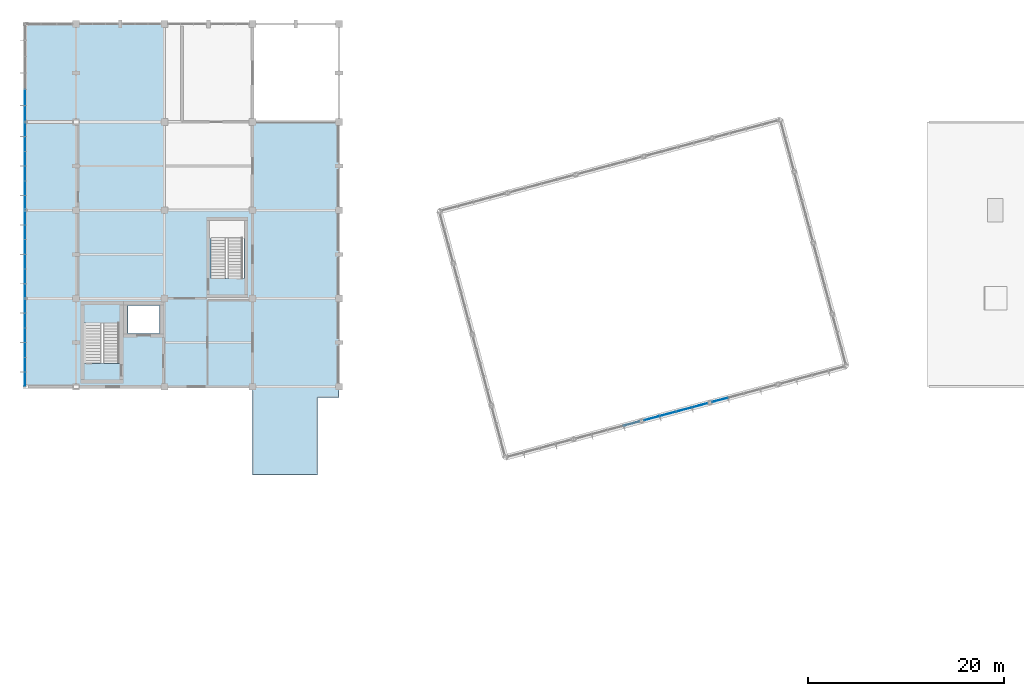
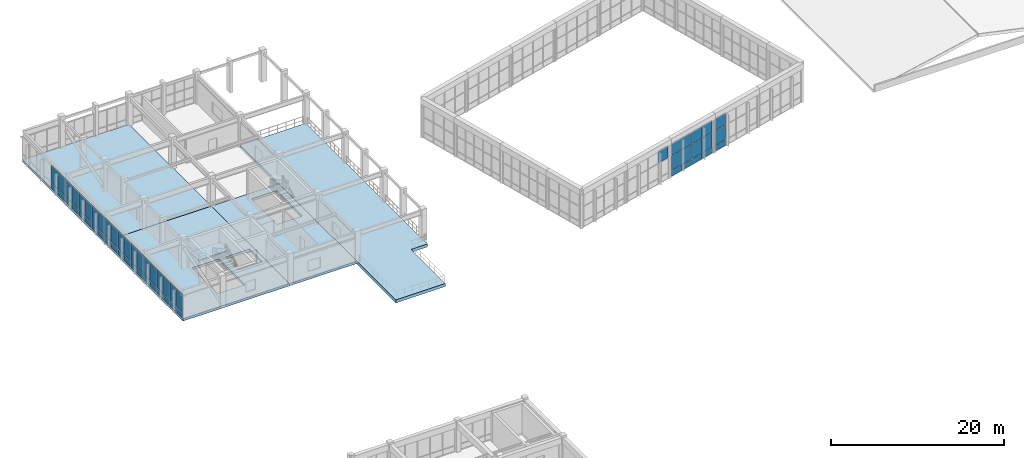
# One storey, part 38 of 55: 56 plates, 5 slabs, 8 elements without a shape of their own.
"""IFC4 building model written with IfcOpenShell, lengths in metres."""

from ifc_helpers import new_model, si_unit, direction, frame, origin, origin_2d, place, context, subcontext, project, spatial, polyline, rectangle, outline, extrude, material, layer, layer_set, type_object, element, aggregate, save


model = new_model("IFC4")

# Units and contexts
model_context = context("Model", 3, precision=1e-05, world=origin(), true_north=direction((0.0, 1.0)))
body_context = subcontext(model_context, "Body", "Model", "MODEL_VIEW")
ifc_project = project(units=[si_unit("LENGTHUNIT", "METRE"), si_unit("AREAUNIT", "SQUARE_METRE"), si_unit("VOLUMEUNIT", "CUBIC_METRE"), si_unit("PLANEANGLEUNIT", "RADIAN"), si_unit("MASSUNIT", "GRAM", prefix="KILO")], contexts=[model_context])

# Site, building, storey
site_placement = place(None, origin())
site = spatial("IfcSite", under=ifc_project, at=site_placement, CompositionType="ELEMENT")
building_placement = place(site_placement, origin())
building = spatial("IfcBuilding", under=site, at=building_placement, Name="Ventoquebrada Cableway Terminal", CompositionType="ELEMENT")
storey_placement = place(building_placement, frame((0.0, 0.0, 14.39990234375)))
storey = spatial("IfcBuildingStorey", under=building, at=storey_placement, Name="L03", CompositionType="ELEMENT", Elevation=14.39990234375)

# Curtain wall, plates
ifc_material_1 = material(Name="Anodized thermally-broken aluminium", Category="aluminium")
ifc_layer_1 = layer(ifc_material_1, 0.159912109375)
ifc_layer_set_1 = layer_set([ifc_layer_1], Name="Anodized thermally-broken aluminium")
curtain_wall_type_1 = type_object("IfcCurtainWallType", Name="CW-T22", PredefinedType="USERDEFINED", material=ifc_layer_set_1)
curtain_wall_1_placement = place(storey_placement, origin())
curtain_wall_1 = element("IfcCurtainWall", 1, at=curtain_wall_1_placement, inside=storey, type_object=curtain_wall_type_1, Name="Unitised glazed curtain wall CW-056", ObjectType="UNITISED CURTAIN WALL", PredefinedType="USERDEFINED")
ifc_material_2 = material(Name="Double low-e laminated safety glazing", Category="glass")
ifc_layer_2 = layer(ifc_material_2, 0.031982421875)
ifc_layer_set_2 = layer_set([ifc_layer_2], Name="Double low-e laminated safety glazing")
plate_type_1 = type_object("IfcPlateType", Name="CWP-GL1", PredefinedType="CURTAIN_PANEL", material=ifc_layer_set_2)
plate_1_placement = place(storey_placement, frame((3.0, 83.75, 0.87890625), z_axis=(0.0, 0.0, 1.0), x_axis=(0.0, -1.0, 0.0)))
plate_1 = element("IfcPlate", 2, at=plate_1_placement, type_object=plate_type_1, Name="Vision glazing panel PN-0549", PredefinedType="CURTAIN_PANEL", context=body_context, shape_type="SweptSolid", body=[
    extrude(rectangle(XDim=1.4560546875, YDim=0.031982421875, at=origin_2d()), origin(), (0.0, 0.0, 1.0), 2.528076171875),
])
plate_2_placement = place(storey_placement, frame((3.0, 80.75, 0.87890625), z_axis=(0.0, 0.0, 1.0), x_axis=(0.0, -1.0, 0.0)))
plate_2 = element("IfcPlate", 3, at=plate_2_placement, type_object=plate_type_1, Name="Vision glazing panel PN-0553", PredefinedType="CURTAIN_PANEL", context=body_context, shape_type="SweptSolid", body=[
    extrude(rectangle(XDim=1.4560546875, YDim=0.031982421875, at=origin_2d()), origin(), (0.0, 0.0, 1.0), 2.528076171875),
])
plate_3_placement = place(storey_placement, frame((3.0, 77.76708984375, 0.87890625), z_axis=(0.0, 0.0, 1.0), x_axis=(0.0, -1.0, 0.0)))
plate_3 = element("IfcPlate", 4, at=plate_3_placement, type_object=plate_type_1, Name="Vision glazing panel PN-0557", PredefinedType="CURTAIN_PANEL", context=body_context, shape_type="SweptSolid", body=[
    extrude(rectangle(XDim=1.4208984375, YDim=0.031982421875, at=origin_2d()), origin(), (0.0, 0.0, 1.0), 2.528076171875),
])

curtain_wall_2_placement = place(storey_placement, origin())
curtain_wall_2 = element("IfcCurtainWall", 5, at=curtain_wall_2_placement, inside=storey, type_object=curtain_wall_type_1, Name="Unitised glazed curtain wall CW-057", ObjectType="UNITISED CURTAIN WALL", PredefinedType="USERDEFINED")
plate_4_placement = place(storey_placement, frame((3.0, 92.75, 0.87890625), z_axis=(0.0, 0.0, 1.0), x_axis=(0.0, -1.0, 0.0)))
plate_4 = element("IfcPlate", 6, at=plate_4_placement, type_object=plate_type_1, Name="Vision glazing panel PN-0561", PredefinedType="CURTAIN_PANEL", context=body_context, shape_type="SweptSolid", body=[
    extrude(rectangle(XDim=1.4560546875, YDim=0.031982421875, at=origin_2d()), origin(), (0.0, 0.0, 1.0), 2.528076171875),
])
plate_5_placement = place(storey_placement, frame((3.0, 89.75, 0.87890625), z_axis=(0.0, 0.0, 1.0), x_axis=(0.0, -1.0, 0.0)))
plate_5 = element("IfcPlate", 7, at=plate_5_placement, type_object=plate_type_1, Name="Vision glazing panel PN-0565", PredefinedType="CURTAIN_PANEL", context=body_context, shape_type="SweptSolid", body=[
    extrude(rectangle(XDim=1.4560546875, YDim=0.031982421875, at=origin_2d()), origin(), (0.0, 0.0, 1.0), 2.528076171875),
])
plate_6_placement = place(storey_placement, frame((3.0, 86.76708984375, 0.87890625), z_axis=(0.0, 0.0, 1.0), x_axis=(0.0, -1.0, 0.0)))
plate_6 = element("IfcPlate", 8, at=plate_6_placement, type_object=plate_type_1, Name="Vision glazing panel PN-0569", PredefinedType="CURTAIN_PANEL", context=body_context, shape_type="SweptSolid", body=[
    extrude(rectangle(XDim=1.4208984375, YDim=0.031982421875, at=origin_2d()), origin(), (0.0, 0.0, 1.0), 2.528076171875),
])

ifc_layer_3 = layer(ifc_material_1, 0.159912109375)
ifc_layer_set_3 = layer_set([ifc_layer_3], Name="Anodized thermally-broken aluminium")
curtain_wall_type_2 = type_object("IfcCurtainWallType", Name="CW-T23", PredefinedType="USERDEFINED", material=ifc_layer_set_3)
curtain_wall_3_placement = place(storey_placement, origin())
curtain_wall_3 = element("IfcCurtainWall", 9, at=curtain_wall_3_placement, inside=storey, type_object=curtain_wall_type_2, Name="Unitised glazed curtain wall CW-058", ObjectType="UNITISED CURTAIN WALL", PredefinedType="USERDEFINED")
plate_7_placement = place(storey_placement, frame((3.0, 101.75, 0.87890625), z_axis=(0.0, 0.0, 1.0), x_axis=(0.0, -1.0, 0.0)))
plate_7 = element("IfcPlate", 10, at=plate_7_placement, type_object=plate_type_1, Name="Vision glazing panel PN-0573", PredefinedType="CURTAIN_PANEL", context=body_context, shape_type="SweptSolid", body=[
    extrude(rectangle(XDim=1.4560546875, YDim=0.031982421875, at=origin_2d()), origin(), (0.0, 0.0, 1.0), 2.427978515625),
])
plate_8_placement = place(storey_placement, frame((3.0, 98.75, 0.87890625), z_axis=(0.0, 0.0, 1.0), x_axis=(0.0, -1.0, 0.0)))
plate_8 = element("IfcPlate", 11, at=plate_8_placement, type_object=plate_type_1, Name="Vision glazing panel PN-0577", PredefinedType="CURTAIN_PANEL", context=body_context, shape_type="SweptSolid", body=[
    extrude(rectangle(XDim=1.4560546875, YDim=0.031982421875, at=origin_2d()), origin(), (0.0, 0.0, 1.0), 2.427978515625),
])
plate_9_placement = place(storey_placement, frame((3.0, 95.76708984375, 0.87890625), z_axis=(0.0, 0.0, 1.0), x_axis=(0.0, -1.0, 0.0)))
plate_9 = element("IfcPlate", 12, at=plate_9_placement, type_object=plate_type_1, Name="Vision glazing panel PN-0581", PredefinedType="CURTAIN_PANEL", context=body_context, shape_type="SweptSolid", body=[
    extrude(rectangle(XDim=1.4208984375, YDim=0.031982421875, at=origin_2d()), origin(), (0.0, 0.0, 1.0), 2.427978515625),
])

# Curtain wall, plate
ifc_layer_4 = layer(ifc_material_1, 0.159912109375)
ifc_layer_set_4 = layer_set([ifc_layer_4], Name="Anodized thermally-broken aluminium")
curtain_wall_type_3 = type_object("IfcCurtainWallType", Name="CW-T24", PredefinedType="USERDEFINED", material=ifc_layer_set_4)
curtain_wall_4_placement = place(storey_placement, origin())
curtain_wall_4 = element("IfcCurtainWall", 13, at=curtain_wall_4_placement, inside=storey, type_object=curtain_wall_type_3, Name="Unitised glazed curtain wall CW-059", ObjectType="UNITISED CURTAIN WALL", PredefinedType="USERDEFINED")
plate_10_placement = place(storey_placement, frame((3.0, 104.85107421875, 0.87890625), z_axis=(0.0, 0.0, 1.0), x_axis=(0.0, -1.0, 0.0)))
plate_10 = element("IfcPlate", 14, at=plate_10_placement, type_object=plate_type_1, Name="Vision glazing panel PN-0593", PredefinedType="CURTAIN_PANEL", context=body_context, shape_type="SweptSolid", body=[
    extrude(rectangle(XDim=1.587890625, YDim=0.031982421875, at=origin_2d()), origin(), (0.0, 0.0, 1.0), 2.427978515625),
])

# Curtain wall, plates
ifc_layer_5 = layer(ifc_material_1, 0.159912109375)
ifc_layer_set_5 = layer_set([ifc_layer_5], Name="Anodized thermally-broken aluminium")
curtain_wall_type_4 = type_object("IfcCurtainWallType", Name="CW-T42", PredefinedType="USERDEFINED", material=ifc_layer_set_5)
curtain_wall_5_placement = place(storey_placement, origin())
curtain_wall_5 = element("IfcCurtainWall", 15, at=curtain_wall_5_placement, inside=storey, type_object=curtain_wall_type_4, Name="Unitised glazed curtain wall CW-117", ObjectType="UNITISED CURTAIN WALL", PredefinedType="USERDEFINED")
plate_11_placement = place(storey_placement, frame((66.924072265625, 73.7890625, 2.9697265625), z_axis=(0.0, 0.0, 1.0), x_axis=(0.965921308897, 0.258835903649, 0.0)))
plate_11 = element("IfcPlate", 16, at=plate_11_placement, type_object=plate_type_1, Name="Vision glazing panel PN-1217", PredefinedType="CURTAIN_PANEL", context=body_context, shape_type="SweptSolid", body=[
    extrude(rectangle(XDim=1.60205078125, YDim=0.031982421875, at=origin_2d()), origin(), (0.0, 0.0, 1.0), 1.720947265625),
])
plate_12_placement = place(storey_placement, frame((68.5458984375, 74.22412109375, 0.874267578125), z_axis=(0.0, 0.0, 1.0), x_axis=(0.965921308897, 0.258835903649, 0.0)))
plate_12 = element("IfcPlate", 17, at=plate_12_placement, type_object=plate_type_1, Name="Vision glazing panel PN-1219", PredefinedType="CURTAIN_PANEL", context=body_context, shape_type="SweptSolid", body=[
    extrude(rectangle(XDim=1.636962890625, YDim=0.031982421875, at=origin_2d()), origin(), (0.0, 0.0, 1.0), 2.0458984375),
])
plate_13_placement = place(storey_placement, frame((70.18408203125, 74.662109375, 2.9697265625), z_axis=(0.0, 0.0, 1.0), x_axis=(0.965921308897, 0.258835903649, 0.0)))
plate_13 = element("IfcPlate", 18, at=plate_13_placement, type_object=plate_type_1, Name="Vision glazing panel PN-1223", PredefinedType="CURTAIN_PANEL", context=body_context, shape_type="SweptSolid", body=[
    extrude(rectangle(XDim=1.636962890625, YDim=0.031982421875, at=origin_2d()), origin(), (0.0, 0.0, 1.0), 1.720947265625),
])
plate_14_placement = place(storey_placement, frame((71.804931640625, 75.096923828125, 0.874267578125), z_axis=(0.0, 0.0, 1.0), x_axis=(0.965921308897, 0.258835903649, 0.0)))
plate_14 = element("IfcPlate", 19, at=plate_14_placement, type_object=plate_type_1, Name="Vision glazing panel PN-1225", PredefinedType="CURTAIN_PANEL", context=body_context, shape_type="SweptSolid", body=[
    extrude(rectangle(XDim=1.60205078125, YDim=0.031982421875, at=origin_2d()), origin(), (0.0, 0.0, 1.0), 2.0458984375),
])

# Curtain wall, plate
curtain_wall_6_placement = place(storey_placement, origin())
curtain_wall_6 = element("IfcCurtainWall", 20, at=curtain_wall_6_placement, inside=storey, type_object=curtain_wall_type_4, Name="Unitised glazed curtain wall CW-118", ObjectType="UNITISED CURTAIN WALL", PredefinedType="USERDEFINED")
plate_15_placement = place(storey_placement, frame((73.87890625, 75.653076171875, 2.9697265625), z_axis=(0.0, 0.0, 1.0), x_axis=(0.965957439792, 0.258701033069, 0.0)))
plate_15 = element("IfcPlate", 21, at=plate_15_placement, type_object=plate_type_1, Name="Vision glazing panel PN-1229", PredefinedType="CURTAIN_PANEL", context=body_context, shape_type="SweptSolid", body=[
    extrude(rectangle(XDim=1.60205078125, YDim=0.031982421875, at=origin_2d()), origin(), (0.0, 0.0, 1.0), 1.720947265625),
])

# Plate
ifc_layer_6 = layer(ifc_material_2, 0.0380859375)
ifc_layer_set_6 = layer_set([ifc_layer_6], Name="Double low-e laminated safety glazing")
plate_type_2 = type_object("IfcPlateType", Name="CWP-GL2", PredefinedType="CURTAIN_PANEL", material=ifc_layer_set_6)
plate_16_placement = place(storey_placement, frame((3.0, 85.23291015625, 0.87890625), z_axis=(0.0, 0.0, 1.0), x_axis=(0.0, -1.0, 0.0)))
plate_16 = element("IfcPlate", 22, at=plate_16_placement, type_object=plate_type_2, Name="Vision glazing panel PN-0547", PredefinedType="CURTAIN_PANEL", context=body_context, shape_type="SweptSolid", body=[
    extrude(rectangle(XDim=1.4208984375, YDim=0.0380859375, at=origin_2d()), origin(), (0.0, 0.0, 1.0), 2.528076171875),
])

plate_17_placement = place(storey_placement, frame((3.0, 82.25, 0.87890625), z_axis=(0.0, 0.0, 1.0), x_axis=(0.0, -1.0, 0.0)))
plate_17 = element("IfcPlate", 23, at=plate_17_placement, type_object=plate_type_2, Name="Vision glazing panel PN-0551", PredefinedType="CURTAIN_PANEL", context=body_context, shape_type="SweptSolid", body=[
    extrude(rectangle(XDim=1.4560546875, YDim=0.0380859375, at=origin_2d()), origin(), (0.0, 0.0, 1.0), 2.528076171875),
])

plate_18_placement = place(storey_placement, frame((3.0, 79.25, 0.87890625), z_axis=(0.0, 0.0, 1.0), x_axis=(0.0, -1.0, 0.0)))
plate_18 = element("IfcPlate", 24, at=plate_18_placement, type_object=plate_type_2, Name="Vision glazing panel PN-0555", PredefinedType="CURTAIN_PANEL", context=body_context, shape_type="SweptSolid", body=[
    extrude(rectangle(XDim=1.4560546875, YDim=0.0380859375, at=origin_2d()), origin(), (0.0, 0.0, 1.0), 2.528076171875),
])

plate_19_placement = place(storey_placement, frame((3.0, 94.23291015625, 0.87890625), z_axis=(0.0, 0.0, 1.0), x_axis=(0.0, -1.0, 0.0)))
plate_19 = element("IfcPlate", 25, at=plate_19_placement, type_object=plate_type_2, Name="Vision glazing panel PN-0559", PredefinedType="CURTAIN_PANEL", context=body_context, shape_type="SweptSolid", body=[
    extrude(rectangle(XDim=1.4208984375, YDim=0.0380859375, at=origin_2d()), origin(), (0.0, 0.0, 1.0), 2.528076171875),
])

plate_20_placement = place(storey_placement, frame((3.0, 91.25, 0.87890625), z_axis=(0.0, 0.0, 1.0), x_axis=(0.0, -1.0, 0.0)))
plate_20 = element("IfcPlate", 26, at=plate_20_placement, type_object=plate_type_2, Name="Vision glazing panel PN-0563", PredefinedType="CURTAIN_PANEL", context=body_context, shape_type="SweptSolid", body=[
    extrude(rectangle(XDim=1.4560546875, YDim=0.0380859375, at=origin_2d()), origin(), (0.0, 0.0, 1.0), 2.528076171875),
])

plate_21_placement = place(storey_placement, frame((3.0, 88.25, 0.87890625), z_axis=(0.0, 0.0, 1.0), x_axis=(0.0, -1.0, 0.0)))
plate_21 = element("IfcPlate", 27, at=plate_21_placement, type_object=plate_type_2, Name="Vision glazing panel PN-0567", PredefinedType="CURTAIN_PANEL", context=body_context, shape_type="SweptSolid", body=[
    extrude(rectangle(XDim=1.4560546875, YDim=0.0380859375, at=origin_2d()), origin(), (0.0, 0.0, 1.0), 2.528076171875),
])

plate_22_placement = place(storey_placement, frame((3.0, 103.23291015625, 0.87890625), z_axis=(0.0, 0.0, 1.0), x_axis=(0.0, -1.0, 0.0)))
plate_22 = element("IfcPlate", 28, at=plate_22_placement, type_object=plate_type_2, Name="Vision glazing panel PN-0571", PredefinedType="CURTAIN_PANEL", context=body_context, shape_type="SweptSolid", body=[
    extrude(rectangle(XDim=1.4208984375, YDim=0.0380859375, at=origin_2d()), origin(), (0.0, 0.0, 1.0), 2.427978515625),
])

plate_23_placement = place(storey_placement, frame((3.0, 100.25, 0.87890625), z_axis=(0.0, 0.0, 1.0), x_axis=(0.0, -1.0, 0.0)))
plate_23 = element("IfcPlate", 29, at=plate_23_placement, type_object=plate_type_2, Name="Vision glazing panel PN-0575", PredefinedType="CURTAIN_PANEL", context=body_context, shape_type="SweptSolid", body=[
    extrude(rectangle(XDim=1.4560546875, YDim=0.0380859375, at=origin_2d()), origin(), (0.0, 0.0, 1.0), 2.427978515625),
])

plate_24_placement = place(storey_placement, frame((3.0, 97.25, 0.87890625), z_axis=(0.0, 0.0, 1.0), x_axis=(0.0, -1.0, 0.0)))
plate_24 = element("IfcPlate", 30, at=plate_24_placement, type_object=plate_type_2, Name="Vision glazing panel PN-0579", PredefinedType="CURTAIN_PANEL", context=body_context, shape_type="SweptSolid", body=[
    extrude(rectangle(XDim=1.4560546875, YDim=0.0380859375, at=origin_2d()), origin(), (0.0, 0.0, 1.0), 2.427978515625),
])

plate_25_placement = place(storey_placement, frame((3.0, 106.5, 0.87890625), z_axis=(0.0, 0.0, 1.0), x_axis=(0.0, -1.0, 0.0)))
plate_25 = element("IfcPlate", 31, at=plate_25_placement, type_object=plate_type_2, Name="Vision glazing panel PN-0591", PredefinedType="CURTAIN_PANEL", context=body_context, shape_type="SweptSolid", body=[
    extrude(rectangle(XDim=1.623046875, YDim=0.0380859375, at=origin_2d()), origin(), (0.0, 0.0, 1.0), 2.427978515625),
])

# Curtain wall, plate
curtain_wall_7_placement = place(storey_placement, origin())
curtain_wall_7 = element("IfcCurtainWall", 32, at=curtain_wall_7_placement, inside=storey, type_object=curtain_wall_type_4, Name="Unitised glazed curtain wall CW-116", ObjectType="UNITISED CURTAIN WALL", PredefinedType="USERDEFINED")
plate_26_placement = place(storey_placement, frame((64.85009765625, 73.23291015625, 2.9697265625), z_axis=(0.0, 0.0, 1.0), x_axis=(0.965948408834, 0.258734751187, 0.0)))
plate_26 = element("IfcPlate", 33, at=plate_26_placement, type_object=plate_type_2, Name="Vision glazing panel PN-1214", PredefinedType="CURTAIN_PANEL", context=body_context, shape_type="SweptSolid", body=[
    extrude(rectangle(XDim=1.60205078125, YDim=0.0380859375, at=origin_2d()), origin(), (0.0, 0.0, 1.0), 1.720947265625),
])
aggregate(curtain_wall_7, [plate_26])

# Plate
plate_27_placement = place(storey_placement, frame((66.924072265625, 73.7890625, 0.874267578125), z_axis=(0.0, 0.0, 1.0), x_axis=(0.965921308897, 0.258835903649, 0.0)))
plate_27 = element("IfcPlate", 34, at=plate_27_placement, type_object=plate_type_2, Name="Vision glazing panel PN-1216", PredefinedType="CURTAIN_PANEL", context=body_context, shape_type="SweptSolid", body=[
    extrude(rectangle(XDim=1.60205078125, YDim=0.0380859375, at=origin_2d()), origin(), (0.0, 0.0, 1.0), 2.0458984375),
])

plate_28_placement = place(storey_placement, frame((68.5458984375, 74.22412109375, 2.9697265625), z_axis=(0.0, 0.0, 1.0), x_axis=(0.965921308897, 0.258835903649, 0.0)))
plate_28 = element("IfcPlate", 35, at=plate_28_placement, type_object=plate_type_2, Name="Vision glazing panel PN-1220", PredefinedType="CURTAIN_PANEL", context=body_context, shape_type="SweptSolid", body=[
    extrude(rectangle(XDim=1.636962890625, YDim=0.0380859375, at=origin_2d()), origin(), (0.0, 0.0, 1.0), 1.720947265625),
])

plate_29_placement = place(storey_placement, frame((70.18408203125, 74.662109375, 0.874267578125), z_axis=(0.0, 0.0, 1.0), x_axis=(0.965921308897, 0.258835903649, 0.0)))
plate_29 = element("IfcPlate", 36, at=plate_29_placement, type_object=plate_type_2, Name="Vision glazing panel PN-1222", PredefinedType="CURTAIN_PANEL", context=body_context, shape_type="SweptSolid", body=[
    extrude(rectangle(XDim=1.636962890625, YDim=0.0380859375, at=origin_2d()), origin(), (0.0, 0.0, 1.0), 2.0458984375),
])

plate_30_placement = place(storey_placement, frame((71.804931640625, 75.096923828125, 2.9697265625), z_axis=(0.0, 0.0, 1.0), x_axis=(0.965921308897, 0.258835903649, 0.0)))
plate_30 = element("IfcPlate", 37, at=plate_30_placement, type_object=plate_type_2, Name="Vision glazing panel PN-1226", PredefinedType="CURTAIN_PANEL", context=body_context, shape_type="SweptSolid", body=[
    extrude(rectangle(XDim=1.60205078125, YDim=0.0380859375, at=origin_2d()), origin(), (0.0, 0.0, 1.0), 1.720947265625),
])

plate_31_placement = place(storey_placement, frame((73.87890625, 75.653076171875, 0.874267578125), z_axis=(0.0, 0.0, 1.0), x_axis=(0.965957439792, 0.258701033069, 0.0)))
plate_31 = element("IfcPlate", 38, at=plate_31_placement, type_object=plate_type_2, Name="Vision glazing panel PN-1228", PredefinedType="CURTAIN_PANEL", context=body_context, shape_type="SweptSolid", body=[
    extrude(rectangle(XDim=1.60205078125, YDim=0.0380859375, at=origin_2d()), origin(), (0.0, 0.0, 1.0), 2.0458984375),
])

ifc_material_3 = material(Name="Insulated aluminium spandrel cassette", Category="aluminium")
ifc_layer_7 = layer(ifc_material_3, 0.044921875)
ifc_layer_set_7 = layer_set([ifc_layer_7], Name="Insulated aluminium spandrel cassette")
plate_type_3 = type_object("IfcPlateType", Name="CWP-SP1", PredefinedType="CURTAIN_PANEL", material=ifc_layer_set_7)
plate_32_placement = place(storey_placement, frame((3.0, 85.23291015625, 0.06494140625), z_axis=(0.0, 0.0, 1.0), x_axis=(0.0, -1.0, 0.0)))
plate_32 = element("IfcPlate", 39, at=plate_32_placement, type_object=plate_type_3, Name="Insulated spandrel panel PN-0546", PredefinedType="CURTAIN_PANEL", context=body_context, shape_type="SweptSolid", body=[
    extrude(rectangle(XDim=1.4208984375, YDim=0.044921875, at=origin_2d()), origin(), (0.0, 0.0, 1.0), 0.756103515625),
])

plate_33_placement = place(storey_placement, frame((3.0, 83.75, 0.06494140625), z_axis=(0.0, 0.0, 1.0), x_axis=(0.0, -1.0, 0.0)))
plate_33 = element("IfcPlate", 40, at=plate_33_placement, type_object=plate_type_3, Name="Insulated spandrel panel PN-0548", PredefinedType="CURTAIN_PANEL", context=body_context, shape_type="SweptSolid", body=[
    extrude(rectangle(XDim=1.4560546875, YDim=0.044921875, at=origin_2d()), origin(), (0.0, 0.0, 1.0), 0.756103515625),
])

plate_34_placement = place(storey_placement, frame((3.0, 82.25, 0.06494140625), z_axis=(0.0, 0.0, 1.0), x_axis=(0.0, -1.0, 0.0)))
plate_34 = element("IfcPlate", 41, at=plate_34_placement, type_object=plate_type_3, Name="Insulated spandrel panel PN-0550", PredefinedType="CURTAIN_PANEL", context=body_context, shape_type="SweptSolid", body=[
    extrude(rectangle(XDim=1.4560546875, YDim=0.044921875, at=origin_2d()), origin(), (0.0, 0.0, 1.0), 0.756103515625),
])

plate_35_placement = place(storey_placement, frame((3.0, 80.75, 0.06494140625), z_axis=(0.0, 0.0, 1.0), x_axis=(0.0, -1.0, 0.0)))
plate_35 = element("IfcPlate", 42, at=plate_35_placement, type_object=plate_type_3, Name="Insulated spandrel panel PN-0552", PredefinedType="CURTAIN_PANEL", context=body_context, shape_type="SweptSolid", body=[
    extrude(rectangle(XDim=1.4560546875, YDim=0.044921875, at=origin_2d()), origin(), (0.0, 0.0, 1.0), 0.756103515625),
])

plate_36_placement = place(storey_placement, frame((3.0, 79.25, 0.06494140625), z_axis=(0.0, 0.0, 1.0), x_axis=(0.0, -1.0, 0.0)))
plate_36 = element("IfcPlate", 43, at=plate_36_placement, type_object=plate_type_3, Name="Insulated spandrel panel PN-0554", PredefinedType="CURTAIN_PANEL", context=body_context, shape_type="SweptSolid", body=[
    extrude(rectangle(XDim=1.4560546875, YDim=0.044921875, at=origin_2d()), origin(), (0.0, 0.0, 1.0), 0.756103515625),
])

plate_37_placement = place(storey_placement, frame((3.0, 77.76708984375, 0.06494140625), z_axis=(0.0, 0.0, 1.0), x_axis=(0.0, -1.0, 0.0)))
plate_37 = element("IfcPlate", 44, at=plate_37_placement, type_object=plate_type_3, Name="Insulated spandrel panel PN-0556", PredefinedType="CURTAIN_PANEL", context=body_context, shape_type="SweptSolid", body=[
    extrude(rectangle(XDim=1.4208984375, YDim=0.044921875, at=origin_2d()), origin(), (0.0, 0.0, 1.0), 0.756103515625),
])

aggregate(curtain_wall_1, [plate_32, plate_16, plate_33, plate_1, plate_34, plate_17, plate_35, plate_2, plate_36, plate_18, plate_37, plate_3])

plate_38_placement = place(storey_placement, frame((3.0, 94.23291015625, 0.06494140625), z_axis=(0.0, 0.0, 1.0), x_axis=(0.0, -1.0, 0.0)))
plate_38 = element("IfcPlate", 45, at=plate_38_placement, type_object=plate_type_3, Name="Insulated spandrel panel PN-0558", PredefinedType="CURTAIN_PANEL", context=body_context, shape_type="SweptSolid", body=[
    extrude(rectangle(XDim=1.4208984375, YDim=0.044921875, at=origin_2d()), origin(), (0.0, 0.0, 1.0), 0.756103515625),
])

plate_39_placement = place(storey_placement, frame((3.0, 92.75, 0.06494140625), z_axis=(0.0, 0.0, 1.0), x_axis=(0.0, -1.0, 0.0)))
plate_39 = element("IfcPlate", 46, at=plate_39_placement, type_object=plate_type_3, Name="Insulated spandrel panel PN-0560", PredefinedType="CURTAIN_PANEL", context=body_context, shape_type="SweptSolid", body=[
    extrude(rectangle(XDim=1.4560546875, YDim=0.044921875, at=origin_2d()), origin(), (0.0, 0.0, 1.0), 0.756103515625),
])

plate_40_placement = place(storey_placement, frame((3.0, 91.25, 0.06494140625), z_axis=(0.0, 0.0, 1.0), x_axis=(0.0, -1.0, 0.0)))
plate_40 = element("IfcPlate", 47, at=plate_40_placement, type_object=plate_type_3, Name="Insulated spandrel panel PN-0562", PredefinedType="CURTAIN_PANEL", context=body_context, shape_type="SweptSolid", body=[
    extrude(rectangle(XDim=1.4560546875, YDim=0.044921875, at=origin_2d()), origin(), (0.0, 0.0, 1.0), 0.756103515625),
])

plate_41_placement = place(storey_placement, frame((3.0, 89.75, 0.06494140625), z_axis=(0.0, 0.0, 1.0), x_axis=(0.0, -1.0, 0.0)))
plate_41 = element("IfcPlate", 48, at=plate_41_placement, type_object=plate_type_3, Name="Insulated spandrel panel PN-0564", PredefinedType="CURTAIN_PANEL", context=body_context, shape_type="SweptSolid", body=[
    extrude(rectangle(XDim=1.4560546875, YDim=0.044921875, at=origin_2d()), origin(), (0.0, 0.0, 1.0), 0.756103515625),
])

plate_42_placement = place(storey_placement, frame((3.0, 88.25, 0.06494140625), z_axis=(0.0, 0.0, 1.0), x_axis=(0.0, -1.0, 0.0)))
plate_42 = element("IfcPlate", 49, at=plate_42_placement, type_object=plate_type_3, Name="Insulated spandrel panel PN-0566", PredefinedType="CURTAIN_PANEL", context=body_context, shape_type="SweptSolid", body=[
    extrude(rectangle(XDim=1.4560546875, YDim=0.044921875, at=origin_2d()), origin(), (0.0, 0.0, 1.0), 0.756103515625),
])

plate_43_placement = place(storey_placement, frame((3.0, 86.76708984375, 0.06494140625), z_axis=(0.0, 0.0, 1.0), x_axis=(0.0, -1.0, 0.0)))
plate_43 = element("IfcPlate", 50, at=plate_43_placement, type_object=plate_type_3, Name="Insulated spandrel panel PN-0568", PredefinedType="CURTAIN_PANEL", context=body_context, shape_type="SweptSolid", body=[
    extrude(rectangle(XDim=1.4208984375, YDim=0.044921875, at=origin_2d()), origin(), (0.0, 0.0, 1.0), 0.756103515625),
])

aggregate(curtain_wall_2, [plate_38, plate_19, plate_39, plate_4, plate_40, plate_20, plate_41, plate_5, plate_42, plate_21, plate_43, plate_6])

plate_44_placement = place(storey_placement, frame((3.0, 103.23291015625, 0.06494140625), z_axis=(0.0, 0.0, 1.0), x_axis=(0.0, -1.0, 0.0)))
plate_44 = element("IfcPlate", 51, at=plate_44_placement, type_object=plate_type_3, Name="Insulated spandrel panel PN-0570", PredefinedType="CURTAIN_PANEL", context=body_context, shape_type="SweptSolid", body=[
    extrude(rectangle(XDim=1.4208984375, YDim=0.044921875, at=origin_2d()), origin(), (0.0, 0.0, 1.0), 0.756103515625),
])

plate_45_placement = place(storey_placement, frame((3.0, 101.75, 0.06494140625), z_axis=(0.0, 0.0, 1.0), x_axis=(0.0, -1.0, 0.0)))
plate_45 = element("IfcPlate", 52, at=plate_45_placement, type_object=plate_type_3, Name="Insulated spandrel panel PN-0572", PredefinedType="CURTAIN_PANEL", context=body_context, shape_type="SweptSolid", body=[
    extrude(rectangle(XDim=1.4560546875, YDim=0.044921875, at=origin_2d()), origin(), (0.0, 0.0, 1.0), 0.756103515625),
])

plate_46_placement = place(storey_placement, frame((3.0, 100.25, 0.06494140625), z_axis=(0.0, 0.0, 1.0), x_axis=(0.0, -1.0, 0.0)))
plate_46 = element("IfcPlate", 53, at=plate_46_placement, type_object=plate_type_3, Name="Insulated spandrel panel PN-0574", PredefinedType="CURTAIN_PANEL", context=body_context, shape_type="SweptSolid", body=[
    extrude(rectangle(XDim=1.4560546875, YDim=0.044921875, at=origin_2d()), origin(), (0.0, 0.0, 1.0), 0.756103515625),
])

plate_47_placement = place(storey_placement, frame((3.0, 98.75, 0.06494140625), z_axis=(0.0, 0.0, 1.0), x_axis=(0.0, -1.0, 0.0)))
plate_47 = element("IfcPlate", 54, at=plate_47_placement, type_object=plate_type_3, Name="Insulated spandrel panel PN-0576", PredefinedType="CURTAIN_PANEL", context=body_context, shape_type="SweptSolid", body=[
    extrude(rectangle(XDim=1.4560546875, YDim=0.044921875, at=origin_2d()), origin(), (0.0, 0.0, 1.0), 0.756103515625),
])

plate_48_placement = place(storey_placement, frame((3.0, 97.25, 0.06494140625), z_axis=(0.0, 0.0, 1.0), x_axis=(0.0, -1.0, 0.0)))
plate_48 = element("IfcPlate", 55, at=plate_48_placement, type_object=plate_type_3, Name="Insulated spandrel panel PN-0578", PredefinedType="CURTAIN_PANEL", context=body_context, shape_type="SweptSolid", body=[
    extrude(rectangle(XDim=1.4560546875, YDim=0.044921875, at=origin_2d()), origin(), (0.0, 0.0, 1.0), 0.756103515625),
])

plate_49_placement = place(storey_placement, frame((3.0, 95.76708984375, 0.06494140625), z_axis=(0.0, 0.0, 1.0), x_axis=(0.0, -1.0, 0.0)))
plate_49 = element("IfcPlate", 56, at=plate_49_placement, type_object=plate_type_3, Name="Insulated spandrel panel PN-0580", PredefinedType="CURTAIN_PANEL", context=body_context, shape_type="SweptSolid", body=[
    extrude(rectangle(XDim=1.4208984375, YDim=0.044921875, at=origin_2d()), origin(), (0.0, 0.0, 1.0), 0.756103515625),
])

aggregate(curtain_wall_3, [plate_44, plate_22, plate_45, plate_7, plate_46, plate_23, plate_47, plate_8, plate_48, plate_24, plate_49, plate_9])

plate_50_placement = place(storey_placement, frame((3.0, 106.5, 0.06494140625), z_axis=(0.0, 0.0, 1.0), x_axis=(0.0, -1.0, 0.0)))
plate_50 = element("IfcPlate", 57, at=plate_50_placement, type_object=plate_type_3, Name="Insulated spandrel panel PN-0590", PredefinedType="CURTAIN_PANEL", context=body_context, shape_type="SweptSolid", body=[
    extrude(rectangle(XDim=1.623046875, YDim=0.044921875, at=origin_2d()), origin(), (0.0, 0.0, 1.0), 0.756103515625),
])

plate_51_placement = place(storey_placement, frame((3.0, 104.85107421875, 0.06494140625), z_axis=(0.0, 0.0, 1.0), x_axis=(0.0, -1.0, 0.0)))
plate_51 = element("IfcPlate", 58, at=plate_51_placement, type_object=plate_type_3, Name="Insulated spandrel panel PN-0592", PredefinedType="CURTAIN_PANEL", context=body_context, shape_type="SweptSolid", body=[
    extrude(rectangle(XDim=1.587890625, YDim=0.044921875, at=origin_2d()), origin(), (0.0, 0.0, 1.0), 0.756103515625),
])

aggregate(curtain_wall_4, [plate_50, plate_25, plate_51, plate_10])

plate_52_placement = place(storey_placement, frame((66.924072265625, 73.7890625, 0.06005859375), z_axis=(0.0, 0.0, 1.0), x_axis=(0.965921308897, 0.258835903649, 0.0)))
plate_52 = element("IfcPlate", 59, at=plate_52_placement, type_object=plate_type_3, Name="Insulated spandrel panel PN-1215", PredefinedType="CURTAIN_PANEL", context=body_context, shape_type="SweptSolid", body=[
    extrude(rectangle(XDim=1.60205078125, YDim=0.044921875, at=origin_2d()), origin(), (0.0, 0.0, 1.0), 0.76611328125),
])

plate_53_placement = place(storey_placement, frame((68.5458984375, 74.22412109375, 0.06005859375), z_axis=(0.0, 0.0, 1.0), x_axis=(0.965921308897, 0.258835903649, 0.0)))
plate_53 = element("IfcPlate", 60, at=plate_53_placement, type_object=plate_type_3, Name="Insulated spandrel panel PN-1218", PredefinedType="CURTAIN_PANEL", context=body_context, shape_type="SweptSolid", body=[
    extrude(rectangle(XDim=1.636962890625, YDim=0.044921875, at=origin_2d()), origin(), (0.0, 0.0, 1.0), 0.76611328125),
])

plate_54_placement = place(storey_placement, frame((70.18408203125, 74.662109375, 0.06005859375), z_axis=(0.0, 0.0, 1.0), x_axis=(0.965921308897, 0.258835903649, 0.0)))
plate_54 = element("IfcPlate", 61, at=plate_54_placement, type_object=plate_type_3, Name="Insulated spandrel panel PN-1221", PredefinedType="CURTAIN_PANEL", context=body_context, shape_type="SweptSolid", body=[
    extrude(rectangle(XDim=1.636962890625, YDim=0.044921875, at=origin_2d()), origin(), (0.0, 0.0, 1.0), 0.76611328125),
])

plate_55_placement = place(storey_placement, frame((71.804931640625, 75.096923828125, 0.06005859375), z_axis=(0.0, 0.0, 1.0), x_axis=(0.965921308897, 0.258835903649, 0.0)))
plate_55 = element("IfcPlate", 62, at=plate_55_placement, type_object=plate_type_3, Name="Insulated spandrel panel PN-1224", PredefinedType="CURTAIN_PANEL", context=body_context, shape_type="SweptSolid", body=[
    extrude(rectangle(XDim=1.60205078125, YDim=0.044921875, at=origin_2d()), origin(), (0.0, 0.0, 1.0), 0.76611328125),
])

aggregate(curtain_wall_5, [plate_52, plate_27, plate_11, plate_53, plate_12, plate_28, plate_54, plate_29, plate_13, plate_55, plate_14, plate_30])

plate_56_placement = place(storey_placement, frame((73.87890625, 75.653076171875, 0.06005859375), z_axis=(0.0, 0.0, 1.0), x_axis=(0.965957439792, 0.258701033069, 0.0)))
plate_56 = element("IfcPlate", 63, at=plate_56_placement, type_object=plate_type_3, Name="Insulated spandrel panel PN-1227", PredefinedType="CURTAIN_PANEL", context=body_context, shape_type="SweptSolid", body=[
    extrude(rectangle(XDim=1.60205078125, YDim=0.044921875, at=origin_2d()), origin(), (0.0, 0.0, 1.0), 0.76611328125),
])

aggregate(curtain_wall_6, [plate_56, plate_31, plate_15])

# Slabs
ifc_material_4 = material(Name="Concrete C40/50", Category="concrete")
ifc_layer_8 = layer(ifc_material_4, 0.3349609375)
ifc_layer_set_8 = layer_set([ifc_layer_8], Name="Concrete C40/50")
slab_type_1 = type_object("IfcSlabType", Name="SL-FL3", PredefinedType="FLOOR", material=ifc_layer_set_8)
slab_1_placement = place(storey_placement, frame((0.0, 0.0, -0.3349609375)))
element("IfcSlab", 64, at=slab_1_placement, inside=storey, type_object=slab_type_1, Name="Reinforced concrete floor slab SL-027", PredefinedType="FLOOR", context=body_context, shape_type="SweptSolid", body=[
    extrude(outline(polyline([(3.0, 77.0), (17.199951171875, 77.0), (17.199951171875, 95.0), (3.0, 95.0), (3.0, 77.0)]), holes=[polyline([(12.64990234375, 85.35009765625), (12.64990234375, 79.389892578125), (9.050048828125, 79.389892578125), (9.050048828125, 85.35009765625), (12.64990234375, 85.35009765625)]), polyline([(16.699951171875, 82.449951171875), (13.5, 82.449951171875), (13.5, 85.300048828125), (16.699951171875, 85.300048828125), (16.699951171875, 82.449951171875)])]), origin(), (0.0, 0.0, 1.0), 0.3349609375),
])
slab_2_placement = place(storey_placement, frame((0.0, 0.0, -0.3349609375)))
element("IfcSlab", 65, at=slab_2_placement, inside=storey, type_object=slab_type_1, Name="Reinforced concrete floor slab SL-028", PredefinedType="FLOOR", context=body_context, shape_type="SweptSolid", body=[
    extrude(outline(polyline([(17.199951171875, 95.0), (17.199951171875, 114.0), (3.0, 114.0), (3.0, 95.0), (17.199951171875, 95.0)])), origin(), (0.0, 0.0, 1.0), 0.3349609375),
])
slab_3_placement = place(storey_placement, frame((0.0, 0.0, -0.3349609375)))
element("IfcSlab", 66, at=slab_3_placement, inside=storey, type_object=slab_type_1, Name="Reinforced concrete floor slab SL-029", PredefinedType="FLOOR", context=body_context, shape_type="SweptSolid", body=[
    extrude(outline(polyline([(26.199951171875, 77.0), (26.199951171875, 95.0), (17.199951171875, 95.0), (17.199951171875, 77.0), (26.199951171875, 77.0)]), holes=[polyline([(25.300048828125, 88.0400390625), (21.949951171875, 88.0400390625), (21.949951171875, 93.949951171875), (25.300048828125, 93.949951171875), (25.300048828125, 88.0400390625)])]), origin(), (0.0, 0.0, 1.0), 0.3349609375),
])

# Stair, slab
stair_type = type_object("IfcStairType", Name="ST-T01", PredefinedType="HALF_TURN_STAIR", material=ifc_material_4)
stair_placement = place(storey_placement, origin())
stair = element("IfcStair", 67, at=stair_placement, inside=storey, type_object=stair_type, Name="Protected half-turn stair ST-17", PredefinedType="HALF_TURN_STAIR")
ifc_layer_9 = layer(ifc_material_4, 0.219970703125)
ifc_layer_set_9 = layer_set([ifc_layer_9], Name="Concrete C40/50")
slab_type_2 = type_object("IfcSlabType", Name="SL-LD1", PredefinedType="LANDING", material=ifc_layer_set_9)
slab_4_placement = place(storey_placement, frame((0.0, 0.0, 2.030029296875)))
slab_4 = element("IfcSlab", 68, at=slab_4_placement, type_object=slab_type_2, Name="Intermediate stair landing LDG-017", PredefinedType="LANDING", context=body_context, shape_type="SweptSolid", body=[
    extrude(outline(polyline([(12.860107421875, 83.489990234375), (12.860107421875, 85.4599609375), (8.8798828125, 85.4599609375), (8.8798828125, 83.489990234375), (12.860107421875, 83.489990234375)])), origin(), (0.0, 0.0, 1.0), 0.219970703125),
])
aggregate(stair, [slab_4])

# Slab
ifc_layer_10 = layer(ifc_material_4, 0.419921875)
ifc_layer_set_10 = layer_set([ifc_layer_10], Name="Concrete C40/50")
slab_type_3 = type_object("IfcSlabType", Name="SL-TR1", PredefinedType="FLOOR", material=ifc_layer_set_10)
slab_5_placement = place(storey_placement, frame((0.0, 0.0, -0.419921875)))
element("IfcSlab", 69, at=slab_5_placement, inside=storey, type_object=slab_type_3, Name="Outdoor canyon dining terrace slab SL-067", PredefinedType="FLOOR", context=body_context, shape_type="SweptSolid", body=[
    extrude(outline(polyline([(32.800048828125, 68.0), (32.800048828125, 75.919921875), (35.0, 75.919921875), (35.0, 104.0), (26.199951171875, 104.0), (26.199951171875, 68.0), (32.800048828125, 68.0)])), origin(), (0.0, 0.0, 1.0), 0.419921875),
])

save(model, "model.ifc")
